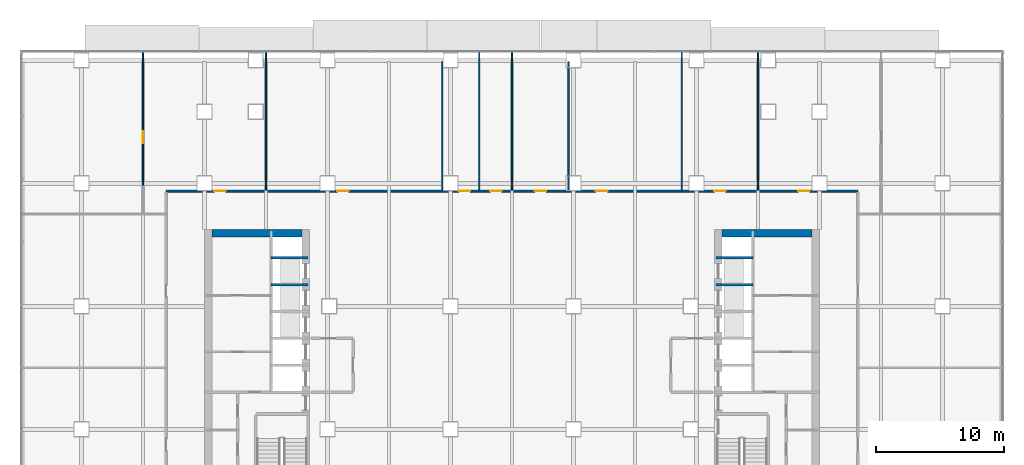
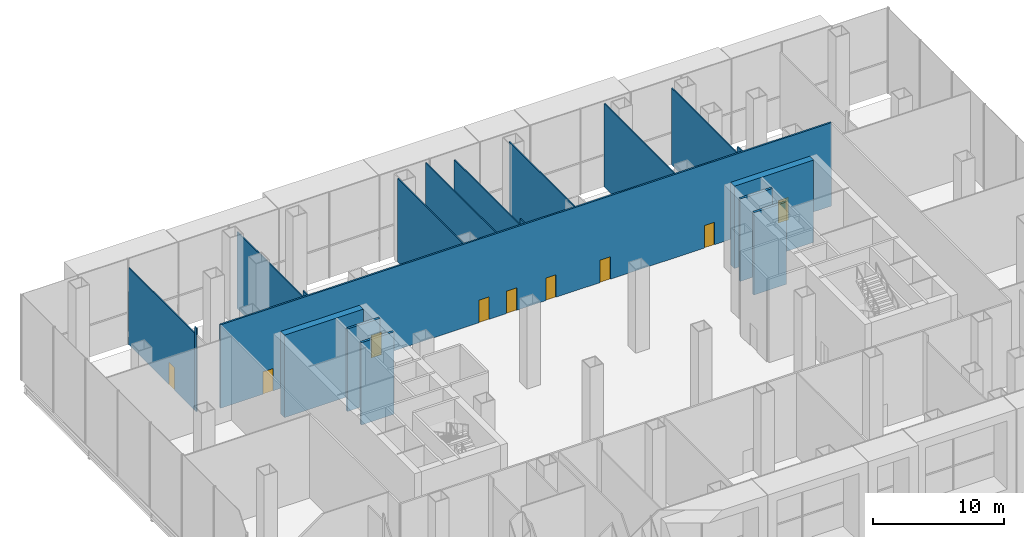
# One storey, part 18 of 24: 19 walls, 9 doors, 9 openings.
"""IFC4 building model written with IfcOpenShell, lengths in metres."""

from ifc_helpers import new_model, si_unit, direction, frame, frame_2d, origin, place, context, subcontext, project, spatial, rectangle, extrude, material, layer, layer_set, type_object, element, fill, save


model = new_model("IFC4")

# Units and contexts
model_context = context("Model", 3, precision=1e-05, world=origin(), true_north=direction((0.0, 1.0)))
body_context = subcontext(model_context, "Body", "Model", "MODEL_VIEW")
ifc_project = project(units=[si_unit("LENGTHUNIT", "METRE"), si_unit("AREAUNIT", "SQUARE_METRE"), si_unit("VOLUMEUNIT", "CUBIC_METRE"), si_unit("PLANEANGLEUNIT", "RADIAN"), si_unit("MASSUNIT", "GRAM", prefix="KILO")], contexts=[model_context])

# Site, building, storey
site_placement = place(None, origin())
site = spatial("IfcSite", under=ifc_project, at=site_placement, CompositionType="ELEMENT")
building_placement = place(site_placement, origin())
building = spatial("IfcBuilding", under=site, at=building_placement, Name="Cobrizo Arcos Hotel Tower", CompositionType="ELEMENT")
storey_placement = place(building_placement, frame((0.0, 0.0, 7.5)))
storey = spatial("IfcBuildingStorey", under=building, at=storey_placement, Name="L01", CompositionType="ELEMENT", Elevation=7.5)

# Wall, openings, doors
ifc_material_1 = material(Name="Gypsum board partition")
ifc_layer_1 = layer(ifc_material_1, 0.14990234375)
ifc_layer_set_1 = layer_set([ifc_layer_1], Name="Corridor wall EI 60 150")
wall_type_1 = type_object("IfcWallType", Name="Corridor wall EI 60 150", PredefinedType="PARTITIONING", material=ifc_layer_set_1)
wall_1_placement = place(storey_placement, frame((-27.0, 13.800048828125, 0.0), z_axis=(0.0, 0.0, 1.0), x_axis=(1.0, 0.0, 0.0)))
wall_1 = element("IfcWall", 1, at=wall_1_placement, inside=storey, type_object=wall_type_1, Name="Partition 035", PredefinedType="PARTITIONING", context=body_context, shape_type="SweptSolid", body=[
    extrude(rectangle(XDim=54.0, YDim=0.14990234375, at=frame_2d((27.0, 0.0))), origin(), (0.0, 0.0, 1.0), 7.800048828125),
])
opening_1_placement = place(wall_1_placement, frame((13.35009765625, 0.0, 0.0)))
opening_1 = element("IfcOpeningElement", 2, at=opening_1_placement, cuts=wall_1, Name="Opening RD-11", PredefinedType="OPENING", context=body_context, shape_type="SweptSolid", body=[
    extrude(rectangle(XDim=0.89990234375, YDim=2.10009765625, at=frame_2d((0.449951171875, 1.050048828125))), frame((0.0, 0.0869140625, 0.0), z_axis=(0.0, -1.0, 0.0), x_axis=(1.0, 0.0, 0.0)), (0.0, 0.0, 1.0), 0.173828125),
])
opening_2_placement = place(wall_1_placement, frame((22.845947265625, 0.0, 0.0)))
opening_2 = element("IfcOpeningElement", 3, at=opening_2_placement, cuts=wall_1, Name="Opening RD-12", PredefinedType="OPENING", context=body_context, shape_type="SweptSolid", body=[
    extrude(rectangle(XDim=0.89990234375, YDim=2.10009765625, at=frame_2d((0.449951171875, 1.050048828125))), frame((0.0, 0.0869140625, 0.0), z_axis=(0.0, -1.0, 0.0), x_axis=(1.0, 0.0, 0.0)), (0.0, 0.0, 1.0), 0.173828125),
])
opening_3_placement = place(wall_1_placement, frame((28.756103515625, 0.0, 0.0)))
opening_3 = element("IfcOpeningElement", 4, at=opening_3_placement, cuts=wall_1, Name="Opening RD-13", PredefinedType="OPENING", context=body_context, shape_type="SweptSolid", body=[
    extrude(rectangle(XDim=0.89990234375, YDim=2.10009765625, at=frame_2d((0.449951171875, 1.050048828125))), frame((0.0, 0.0869140625, 0.0), z_axis=(0.0, -1.0, 0.0), x_axis=(1.0, 0.0, 0.0)), (0.0, 0.0, 1.0), 0.173828125),
])
opening_4_placement = place(wall_1_placement, frame((33.555908203125, 0.0, 0.0)))
opening_4 = element("IfcOpeningElement", 5, at=opening_4_placement, cuts=wall_1, Name="Opening RD-14", PredefinedType="OPENING", context=body_context, shape_type="SweptSolid", body=[
    extrude(rectangle(XDim=0.89990234375, YDim=2.10009765625, at=frame_2d((0.449951171875, 1.050048828125))), frame((0.0, 0.0869140625, 0.0), z_axis=(0.0, -1.0, 0.0), x_axis=(1.0, 0.0, 0.0)), (0.0, 0.0, 1.0), 0.173828125),
])
opening_5_placement = place(wall_1_placement, frame((42.76806640625, 0.0, 0.0)))
opening_5 = element("IfcOpeningElement", 6, at=opening_5_placement, cuts=wall_1, Name="Opening RD-15", PredefinedType="OPENING", context=body_context, shape_type="SweptSolid", body=[
    extrude(rectangle(XDim=0.89990234375, YDim=2.10009765625, at=frame_2d((0.449951171875, 1.050048828125))), frame((0.0, 0.0869140625, 0.0), z_axis=(0.0, -1.0, 0.0), x_axis=(1.0, 0.0, 0.0)), (0.0, 0.0, 1.0), 0.173828125),
])
opening_6_placement = place(wall_1_placement, frame((3.75, 0.0, 0.0)))
opening_6 = element("IfcOpeningElement", 7, at=opening_6_placement, cuts=wall_1, Name="Opening RD-21", PredefinedType="OPENING", context=body_context, shape_type="SweptSolid", body=[
    extrude(rectangle(XDim=0.89990234375, YDim=2.10009765625, at=frame_2d((0.449951171875, 1.050048828125))), frame((0.0, 0.0869140625, 0.0), z_axis=(0.0, -1.0, 0.0), x_axis=(1.0, 0.0, 0.0)), (0.0, 0.0, 1.0), 0.173828125),
])
opening_7_placement = place(wall_1_placement, frame((49.35009765625, 0.0, 0.0)))
opening_7 = element("IfcOpeningElement", 8, at=opening_7_placement, cuts=wall_1, Name="Opening RD-25", PredefinedType="OPENING", context=body_context, shape_type="SweptSolid", body=[
    extrude(rectangle(XDim=0.89990234375, YDim=2.10009765625, at=frame_2d((0.449951171875, 1.050048828125))), frame((0.0, 0.0869140625, 0.0), z_axis=(0.0, -1.0, 0.0), x_axis=(1.0, 0.0, 0.0)), (0.0, 0.0, 1.0), 0.173828125),
])
opening_8_placement = place(wall_1_placement, frame((25.282958984375, 0.0, 0.0)))
opening_8 = element("IfcOpeningElement", 9, at=opening_8_placement, cuts=wall_1, Name="Opening RD-28", PredefinedType="OPENING", context=body_context, shape_type="SweptSolid", body=[
    extrude(rectangle(XDim=0.89990234375, YDim=2.10009765625, at=frame_2d((0.449951171875, 1.050048828125))), frame((0.0, 0.0869140625, 0.0), z_axis=(0.0, -1.0, 0.0), x_axis=(1.0, 0.0, 0.0)), (0.0, 0.0, 1.0), 0.173828125),
])
ifc_material_2 = material(Name="Timber door leaf", Category="wood")
door_type = type_object("IfcDoorType", Name="Room door FD30 900x2100", OperationType="SINGLE_SWING_LEFT", PredefinedType="DOOR", material=ifc_material_2)
door_1_placement = place(opening_1_placement, origin())
door_1 = element("IfcDoor", 10, at=door_1_placement, inside=storey, type_object=door_type, Name="Door RD-11", OperationType="SINGLE_SWING_LEFT", OverallHeight=2.10009765625, OverallWidth=0.89990234375, PredefinedType="DOOR", context=body_context, shape_type="SweptSolid", body=[
    extrude(rectangle(XDim=0.89990234375, YDim=2.10009765625, at=frame_2d((0.449951171875, 1.050048828125))), frame((0.0, 0.02490234375, 0.0), z_axis=(0.0, -1.0, 0.0), x_axis=(1.0, 0.0, 0.0)), (0.0, 0.0, 1.0), 0.050048828125),
])
fill(opening_1, door_1)
door_2_placement = place(opening_2_placement, origin())
door_2 = element("IfcDoor", 11, at=door_2_placement, inside=storey, type_object=door_type, Name="Door RD-12", OperationType="SINGLE_SWING_RIGHT", OverallHeight=2.10009765625, OverallWidth=0.89990234375, PredefinedType="DOOR", context=body_context, shape_type="SweptSolid", body=[
    extrude(rectangle(XDim=0.89990234375, YDim=2.10009765625, at=frame_2d((0.449951171875, 1.050048828125))), frame((0.0, 0.02490234375, 0.0), z_axis=(0.0, -1.0, 0.0), x_axis=(1.0, 0.0, 0.0)), (0.0, 0.0, 1.0), 0.050048828125),
])
fill(opening_2, door_2)
door_3_placement = place(opening_3_placement, origin())
door_3 = element("IfcDoor", 12, at=door_3_placement, inside=storey, type_object=door_type, Name="Door RD-13", OperationType="SINGLE_SWING_LEFT", OverallHeight=2.10009765625, OverallWidth=0.89990234375, PredefinedType="DOOR", context=body_context, shape_type="SweptSolid", body=[
    extrude(rectangle(XDim=0.89990234375, YDim=2.10009765625, at=frame_2d((0.449951171875, 1.050048828125))), frame((0.0, 0.02490234375, 0.0), z_axis=(0.0, -1.0, 0.0), x_axis=(1.0, 0.0, 0.0)), (0.0, 0.0, 1.0), 0.050048828125),
])
fill(opening_3, door_3)
door_4_placement = place(opening_4_placement, origin())
door_4 = element("IfcDoor", 13, at=door_4_placement, inside=storey, type_object=door_type, Name="Door RD-14", OperationType="SINGLE_SWING_LEFT", OverallHeight=2.10009765625, OverallWidth=0.89990234375, PredefinedType="DOOR", context=body_context, shape_type="SweptSolid", body=[
    extrude(rectangle(XDim=0.89990234375, YDim=2.10009765625, at=frame_2d((0.449951171875, 1.050048828125))), frame((0.0, 0.02490234375, 0.0), z_axis=(0.0, -1.0, 0.0), x_axis=(1.0, 0.0, 0.0)), (0.0, 0.0, 1.0), 0.050048828125),
])
fill(opening_4, door_4)
door_5_placement = place(opening_5_placement, origin())
door_5 = element("IfcDoor", 14, at=door_5_placement, inside=storey, type_object=door_type, Name="Door RD-15", OperationType="SINGLE_SWING_LEFT", OverallHeight=2.10009765625, OverallWidth=0.89990234375, PredefinedType="DOOR", context=body_context, shape_type="SweptSolid", body=[
    extrude(rectangle(XDim=0.89990234375, YDim=2.10009765625, at=frame_2d((0.449951171875, 1.050048828125))), frame((0.0, 0.02490234375, 0.0), z_axis=(0.0, -1.0, 0.0), x_axis=(1.0, 0.0, 0.0)), (0.0, 0.0, 1.0), 0.050048828125),
])
fill(opening_5, door_5)
door_6_placement = place(opening_6_placement, origin())
door_6 = element("IfcDoor", 15, at=door_6_placement, inside=storey, type_object=door_type, Name="Door RD-21", OperationType="SINGLE_SWING_RIGHT", OverallHeight=2.10009765625, OverallWidth=0.89990234375, PredefinedType="DOOR", context=body_context, shape_type="SweptSolid", body=[
    extrude(rectangle(XDim=0.89990234375, YDim=2.10009765625, at=frame_2d((0.449951171875, 1.050048828125))), frame((0.0, 0.02490234375, 0.0), z_axis=(0.0, -1.0, 0.0), x_axis=(1.0, 0.0, 0.0)), (0.0, 0.0, 1.0), 0.050048828125),
])
fill(opening_6, door_6)
door_7_placement = place(opening_7_placement, origin())
door_7 = element("IfcDoor", 16, at=door_7_placement, inside=storey, type_object=door_type, Name="Door RD-25", OperationType="SINGLE_SWING_LEFT", OverallHeight=2.10009765625, OverallWidth=0.89990234375, PredefinedType="DOOR", context=body_context, shape_type="SweptSolid", body=[
    extrude(rectangle(XDim=0.89990234375, YDim=2.10009765625, at=frame_2d((0.449951171875, 1.050048828125))), frame((0.0, 0.02490234375, 0.0), z_axis=(0.0, -1.0, 0.0), x_axis=(1.0, 0.0, 0.0)), (0.0, 0.0, 1.0), 0.050048828125),
])
fill(opening_7, door_7)
door_8_placement = place(opening_8_placement, origin())
door_8 = element("IfcDoor", 17, at=door_8_placement, inside=storey, type_object=door_type, Name="Door RD-28", OperationType="SINGLE_SWING_LEFT", OverallHeight=2.10009765625, OverallWidth=0.89990234375, PredefinedType="DOOR", context=body_context, shape_type="SweptSolid", body=[
    extrude(rectangle(XDim=0.89990234375, YDim=2.10009765625, at=frame_2d((0.449951171875, 1.050048828125))), frame((0.0, 0.02490234375, 0.0), z_axis=(0.0, -1.0, 0.0), x_axis=(1.0, 0.0, 0.0)), (0.0, 0.0, 1.0), 0.050048828125),
])
fill(opening_8, door_8)

# Wall
ifc_layer_2 = layer(ifc_material_1, 0.10009765625)
ifc_layer_set_2 = layer_set([ifc_layer_2], Name="Partition EI 30 100")
wall_type_2 = type_object("IfcWallType", Name="Partition EI 30 100", PredefinedType="PARTITIONING", material=ifc_layer_set_2)
wall_2_placement = place(storey_placement, frame((-28.800048828125, 14.24609375, 0.0), z_axis=(0.0, 0.0, 1.0), x_axis=(0.0, 1.0, 0.0)))
element("IfcWall", 18, at=wall_2_placement, inside=storey, type_object=wall_type_2, Name="Partition 040", PredefinedType="PARTITIONING", context=body_context, shape_type="SweptSolid", body=[
    extrude(rectangle(XDim=0.307861328125, YDim=0.10009765625, at=frame_2d((0.15380859375, 0.0))), origin(), (0.0, 0.0, 1.0), 7.800048828125),
])

# Wall, opening, door
wall_3_placement = place(storey_placement, frame((-28.800048828125, 14.5537109375, 0.0), z_axis=(0.0, 0.0, 1.0), x_axis=(0.0, 1.0, 0.0)))
wall_3 = element("IfcWall", 19, at=wall_3_placement, inside=storey, type_object=wall_type_2, Name="Partition 041", PredefinedType="PARTITIONING", context=body_context, shape_type="SweptSolid", body=[
    extrude(rectangle(XDim=10.076171875, YDim=0.10009765625, at=frame_2d((5.0380859375, 0.0))), origin(), (0.0, 0.0, 1.0), 7.18310546875),
])
opening_9_placement = place(wall_3_placement, frame((2.99609375, 0.0, 0.0)))
opening_9 = element("IfcOpeningElement", 20, at=opening_9_placement, cuts=wall_3, Name="Opening RD-31", PredefinedType="OPENING", context=body_context, shape_type="SweptSolid", body=[
    extrude(rectangle(XDim=0.89990234375, YDim=2.10009765625, at=frame_2d((0.449951171875, 1.050048828125))), frame((0.0, 0.06201171875, 0.0), z_axis=(0.0, -1.0, 0.0), x_axis=(1.0, 0.0, 0.0)), (0.0, 0.0, 1.0), 0.1240234375),
])
door_9_placement = place(opening_9_placement, origin())
door_9 = element("IfcDoor", 21, at=door_9_placement, inside=storey, type_object=door_type, Name="Door RD-31", OperationType="SINGLE_SWING_RIGHT", OverallHeight=2.10009765625, OverallWidth=0.89990234375, PredefinedType="DOOR", context=body_context, shape_type="SweptSolid", body=[
    extrude(rectangle(XDim=0.89990234375, YDim=2.10009765625, at=frame_2d((0.449951171875, 1.050048828125))), frame((0.0, 0.02490234375, 0.0), z_axis=(0.0, -1.0, 0.0), x_axis=(1.0, 0.0, 0.0)), (0.0, 0.0, 1.0), 0.050048828125),
])
fill(opening_9, door_9)

# Walls
wall_4_placement = place(storey_placement, frame((-19.199951171875, 13.875, 0.0), z_axis=(0.0, 0.0, 1.0), x_axis=(0.0, 1.0, 0.0)))
element("IfcWall", 22, at=wall_4_placement, inside=storey, type_object=wall_type_2, Name="Partition 047", PredefinedType="PARTITIONING", context=body_context, shape_type="SweptSolid", body=[
    extrude(rectangle(XDim=0.678955078125, YDim=0.10009765625, at=frame_2d((0.33935546875, 0.0))), origin(), (0.0, 0.0, 1.0), 7.800048828125),
])
wall_5_placement = place(storey_placement, frame((-19.199951171875, 14.5537109375, 0.0), z_axis=(0.0, 0.0, 1.0), x_axis=(0.0, 1.0, 0.0)))
element("IfcWall", 23, at=wall_5_placement, inside=storey, type_object=wall_type_2, Name="Partition 048", PredefinedType="PARTITIONING", context=body_context, shape_type="SweptSolid", body=[
    extrude(rectangle(XDim=10.076171875, YDim=0.10009765625, at=frame_2d((5.0380859375, 0.0))), origin(), (0.0, 0.0, 1.0), 7.18310546875),
])
wall_6_placement = place(storey_placement, frame((-5.449951171875, 13.875, 0.0), z_axis=(0.0, 0.0, 1.0), x_axis=(0.0, 1.0, 0.0)))
element("IfcWall", 24, at=wall_6_placement, inside=storey, type_object=wall_type_2, Name="Partition 056", PredefinedType="PARTITIONING", context=body_context, shape_type="SweptSolid", body=[
    extrude(rectangle(XDim=10.0048828125, YDim=0.10009765625, at=frame_2d((5.00244140625, 0.0))), origin(), (0.0, 0.0, 1.0), 7.800048828125),
])
wall_7_placement = place(storey_placement, frame((-2.550048828125, 13.875, 0.0), z_axis=(0.0, 0.0, 1.0), x_axis=(0.0, 1.0, 0.0)))
element("IfcWall", 25, at=wall_7_placement, inside=storey, type_object=wall_type_2, Name="Partition 058", PredefinedType="PARTITIONING", context=body_context, shape_type="SweptSolid", body=[
    extrude(rectangle(XDim=10.7548828125, YDim=0.10009765625, at=frame_2d((5.37744140625, 0.0))), origin(), (0.0, 0.0, 1.0), 7.800048828125),
])
wall_8_placement = place(storey_placement, frame((0.0, 13.875, 0.0), z_axis=(0.0, 0.0, 1.0), x_axis=(0.0, 1.0, 0.0)))
element("IfcWall", 26, at=wall_8_placement, inside=storey, type_object=wall_type_2, Name="Partition 059", PredefinedType="PARTITIONING", context=body_context, shape_type="SweptSolid", body=[
    extrude(rectangle(XDim=0.678955078125, YDim=0.10009765625, at=frame_2d((0.33935546875, 0.0))), origin(), (0.0, 0.0, 1.0), 7.800048828125),
])
wall_9_placement = place(storey_placement, frame((0.0, 14.5537109375, 0.0), z_axis=(0.0, 0.0, 1.0), x_axis=(0.0, 1.0, 0.0)))
element("IfcWall", 27, at=wall_9_placement, inside=storey, type_object=wall_type_2, Name="Partition 060", PredefinedType="PARTITIONING", context=body_context, shape_type="SweptSolid", body=[
    extrude(rectangle(XDim=10.076171875, YDim=0.10009765625, at=frame_2d((5.0380859375, 0.0))), origin(), (0.0, 0.0, 1.0), 7.18310546875),
])
wall_10_placement = place(storey_placement, frame((4.39990234375, 13.875, 0.0), z_axis=(0.0, 0.0, 1.0), x_axis=(0.0, 1.0, 0.0)))
element("IfcWall", 28, at=wall_10_placement, inside=storey, type_object=wall_type_2, Name="Partition 061", PredefinedType="PARTITIONING", context=body_context, shape_type="SweptSolid", body=[
    extrude(rectangle(XDim=10.0048828125, YDim=0.10009765625, at=frame_2d((5.00244140625, 0.0))), origin(), (0.0, 0.0, 1.0), 7.800048828125),
])
wall_11_placement = place(storey_placement, frame((13.25, 13.875, 0.0), z_axis=(0.0, 0.0, 1.0), x_axis=(0.0, 1.0, 0.0)))
element("IfcWall", 29, at=wall_11_placement, inside=storey, type_object=wall_type_2, Name="Partition 064", PredefinedType="PARTITIONING", context=body_context, shape_type="SweptSolid", body=[
    extrude(rectangle(XDim=10.7548828125, YDim=0.10009765625, at=frame_2d((5.37744140625, 0.0))), origin(), (0.0, 0.0, 1.0), 7.800048828125),
])
wall_12_placement = place(storey_placement, frame((19.199951171875, 13.875, 0.0), z_axis=(0.0, 0.0, 1.0), x_axis=(0.0, 1.0, 0.0)))
element("IfcWall", 30, at=wall_12_placement, inside=storey, type_object=wall_type_2, Name="Partition 068", PredefinedType="PARTITIONING", context=body_context, shape_type="SweptSolid", body=[
    extrude(rectangle(XDim=0.678955078125, YDim=0.10009765625, at=frame_2d((0.33935546875, 0.0))), origin(), (0.0, 0.0, 1.0), 7.800048828125),
])
wall_13_placement = place(storey_placement, frame((19.199951171875, 14.5537109375, 0.0), z_axis=(0.0, 0.0, 1.0), x_axis=(0.0, 1.0, 0.0)))
element("IfcWall", 31, at=wall_13_placement, inside=storey, type_object=wall_type_2, Name="Partition 069", PredefinedType="PARTITIONING", context=body_context, shape_type="SweptSolid", body=[
    extrude(rectangle(XDim=10.076171875, YDim=0.10009765625, at=frame_2d((5.0380859375, 0.0))), origin(), (0.0, 0.0, 1.0), 7.18310546875),
])
ifc_material_3 = material(Name="Concrete f'c 60 MPa", Category="concrete")
ifc_layer_3 = layer(ifc_material_3, 0.60009765625)
ifc_layer_set_3 = layer_set([ifc_layer_3], Name="RC core wall 600 f'c 60")
wall_type_3 = type_object("IfcWallType", Name="RC core wall 600 f'c 60", PredefinedType="SHEAR", material=ifc_layer_set_3)
for number, where, z_axis, x_axis, name in (
    (32, (16.39990234375, 10.5, 0.0), (0.0, 0.0, 1.0), (1.0, 0.0, 0.0), "Core wall CW1, east core, north end, L01"),
    (33, (-23.39990234375, 10.5, 0.0), (0.0, 0.0, 1.0), (1.0, 0.0, 0.0), "Core wall CW1, west core, north end, L01"),
):
    element("IfcWall", number, at=place(storey_placement, frame(where, z_axis=z_axis, x_axis=x_axis)), inside=storey, type_object=wall_type_3, Name=name, PredefinedType="SHEAR", context=body_context, shape_type="SweptSolid", body=[
        extrude(rectangle(XDim=7.0, YDim=0.60009765625, at=frame_2d((3.5, 0.0))), origin(), (0.0, 0.0, 1.0), 7.699951171875),
    ])
ifc_layer_4 = layer(ifc_material_1, 0.199951171875)
ifc_layer_set_4 = layer_set([ifc_layer_4], Name="Shaft wall EI 120 200")
wall_type_4 = type_object("IfcWallType", Name="Shaft wall EI 120 200", PredefinedType="PARTITIONING", material=ifc_layer_set_4)
for number, where, z_axis, x_axis, name in (
    (34, (-18.800048828125, 6.5, 0.0), (0.0, 0.0, 1.0), (1.0, 0.0, 0.0), "Partition 029"),
    (35, (15.919921875, 6.5, 0.0), (0.0, 0.0, 1.0), (1.0, 0.0, 0.0), "Partition 030"),
    (36, (-18.800048828125, 8.60009765625, 0.0), (0.0, 0.0, 1.0), (1.0, 0.0, 0.0), "Partition 031"),
    (37, (15.919921875, 8.60009765625, 0.0), (0.0, 0.0, 1.0), (1.0, 0.0, 0.0), "Partition 032"),
):
    element("IfcWall", number, at=place(storey_placement, frame(where, z_axis=z_axis, x_axis=x_axis)), inside=storey, type_object=wall_type_4, Name=name, PredefinedType="PARTITIONING", context=body_context, shape_type="SweptSolid", body=[
        extrude(rectangle(XDim=2.880126953125, YDim=0.199951171875, at=frame_2d((1.43994140625, 0.0))), origin(), (0.0, 0.0, 1.0), 7.699951171875),
    ])

save(model, "model.ifc")
